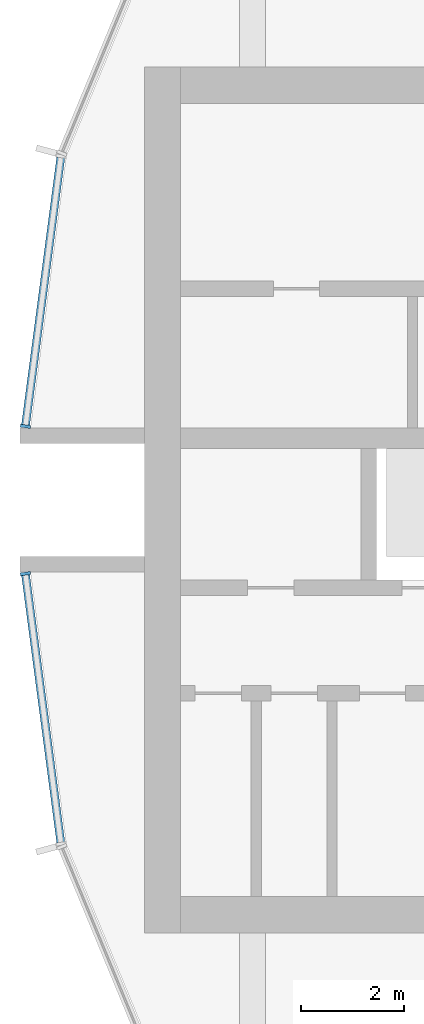
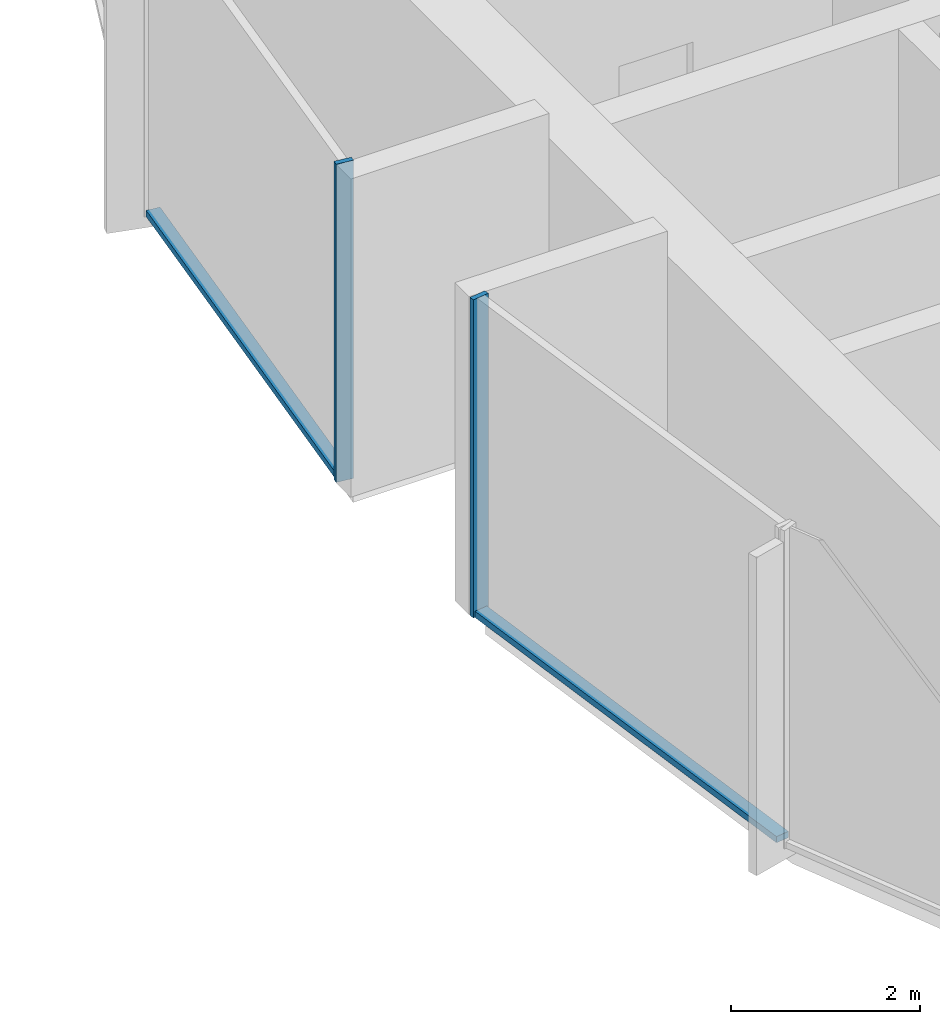
# One storey, part 3 of 15: 4 members, 2 elements without a shape of their own.
"""IFC4 building model written with IfcOpenShell, lengths in metres."""

from ifc_helpers import new_model, si_unit, direction, frame, origin, origin_2d, place, context, subcontext, project, spatial, rectangle, extrude, material, layer, layer_set, material_profile, profile_set, type_object, element, aggregate, save


model = new_model("IFC4")

# Units and contexts
model_context = context("Model", 3, precision=1e-05, world=origin(), true_north=direction((0.0, 1.0)))
body_context = subcontext(model_context, "Body", "Model", "MODEL_VIEW")
ifc_project = project(units=[si_unit("LENGTHUNIT", "METRE"), si_unit("AREAUNIT", "SQUARE_METRE"), si_unit("VOLUMEUNIT", "CUBIC_METRE"), si_unit("PLANEANGLEUNIT", "RADIAN"), si_unit("MASSUNIT", "GRAM", prefix="KILO")], contexts=[model_context])

# Site, building, storey
site_placement = place(None, origin())
site = spatial("IfcSite", under=ifc_project, at=site_placement, CompositionType="ELEMENT")
building_placement = place(site_placement, origin())
building = spatial("IfcBuilding", under=site, at=building_placement, Name="Torre Brocal", CompositionType="ELEMENT")
storey_placement = place(building_placement, frame((0.0, 0.0, 198.699951171875)))
storey = spatial("IfcBuildingStorey", under=building, at=storey_placement, Name="L46", CompositionType="ELEMENT", Elevation=198.699951171875)

# Curtain wall, member
ifc_material_1 = material(Name="Aluminium and glass", Category="aluminium")
ifc_layer = layer(ifc_material_1, 0.199951171875)
ifc_layer_set = layer_set([ifc_layer], Name="Aluminium and glass")
curtain_wall_type = type_object("IfcCurtainWallType", Name="CW-1B CURTAIN WALL 4100 HIGH", PredefinedType="NOTDEFINED", material=ifc_layer_set)
curtain_wall_1_placement = place(storey_placement, origin())
curtain_wall_1 = element("IfcCurtainWall", 1, at=curtain_wall_1_placement, inside=storey, type_object=curtain_wall_type, Name="CW-1B RUN 12", PredefinedType="NOTDEFINED")
ifc_material_2 = material(Name="Aluminium, dark anodised", Category="aluminium")
ifc_material_profile_1 = material_profile(ifc_material_2, rectangle(XDim=0.199951171875, YDim=0.06005859375, at=origin_2d()), Name="CW-1B MULLION 60X200")
ifc_profile_set_1 = profile_set([ifc_material_profile_1], Name="Aluminium, dark anodised")
member_type_1 = type_object("IfcMemberType", Name="CW-1B MULLION 60X200", PredefinedType="MULLION", material=ifc_profile_set_1)
member_1_placement = place(storey_placement, frame((54.2890625, 76.4296875, 0.0), z_axis=(0.0, 0.0, 1.0), x_axis=(0.991444861374, -0.13052619222, 0.0)))
member_1 = element("IfcMember", 2, at=member_1_placement, type_object=member_type_1, Name="CW1B-4 mullion 2", PredefinedType="MULLION", context=body_context, shape_type="SweptSolid", body=[
    extrude(rectangle(XDim=0.199951171875, YDim=0.06005859375, at=origin_2d()), origin(), (0.0, 0.0, 1.0), 4.10009765625),
])

curtain_wall_2_placement = place(storey_placement, origin())
curtain_wall_2 = element("IfcCurtainWall", 3, at=curtain_wall_2_placement, inside=storey, type_object=curtain_wall_type, Name="CW-1B RUN 13", PredefinedType="NOTDEFINED")
member_2_placement = place(storey_placement, frame((54.2890625, 73.5703125, 0.0), z_axis=(0.0, 0.0, 1.0), x_axis=(0.991444861374, 0.13052619222, 0.0)))
member_2 = element("IfcMember", 4, at=member_2_placement, type_object=member_type_1, Name="CW1B-4 mullion 1", PredefinedType="MULLION", context=body_context, shape_type="SweptSolid", body=[
    extrude(rectangle(XDim=0.199951171875, YDim=0.06005859375, at=origin_2d()), origin(), (0.0, 0.0, 1.0), 4.10009765625),
])

# Member
ifc_material_3 = material(Name="Aluminium, dark anodised", Category="aluminium")
ifc_material_profile_2 = material_profile(ifc_material_3, rectangle(XDim=0.159912109375, YDim=0.080078125, at=origin_2d()), Name="CW-1B TRANSOM 160X80")
ifc_profile_set_2 = profile_set([ifc_material_profile_2], Name="Aluminium, dark anodised")
member_type_2 = type_object("IfcMemberType", Name="CW-1B TRANSOM 160X80", PredefinedType="USERDEFINED", material=ifc_profile_set_2)
member_3_placement = place(storey_placement, frame((54.9755859375, 81.643798828125, 0.0400390625), z_axis=(-0.130542677827, -0.991442690863, 0.0), x_axis=(0.991442690863, -0.130542677827, 0.0)))
member_3 = element("IfcMember", 5, at=member_3_placement, type_object=member_type_2, Name="CW1B-4 transom 1.1", ObjectType="TRANSOM", PredefinedType="USERDEFINED", context=body_context, shape_type="SweptSolid", body=[
    extrude(rectangle(XDim=0.159912109375, YDim=0.080078125, at=origin_2d()), origin(), (0.0, 0.0, 1.0), 5.22900390625),
])

aggregate(curtain_wall_1, [member_1, member_3])

member_4_placement = place(storey_placement, frame((54.29296875, 73.54052734375, 0.0400390625), z_axis=(0.130542677827, -0.991442690863, 0.0), x_axis=(0.991442690863, 0.130542677827, 0.0)))
member_4 = element("IfcMember", 6, at=member_4_placement, type_object=member_type_2, Name="CW1B-4 transom 1.1", ObjectType="TRANSOM", PredefinedType="USERDEFINED", context=body_context, shape_type="SweptSolid", body=[
    extrude(rectangle(XDim=0.159912109375, YDim=0.080078125, at=origin_2d()), origin(), (0.0, 0.0, 1.0), 5.22900390625),
])

aggregate(curtain_wall_2, [member_2, member_4])

save(model, "model.ifc")
